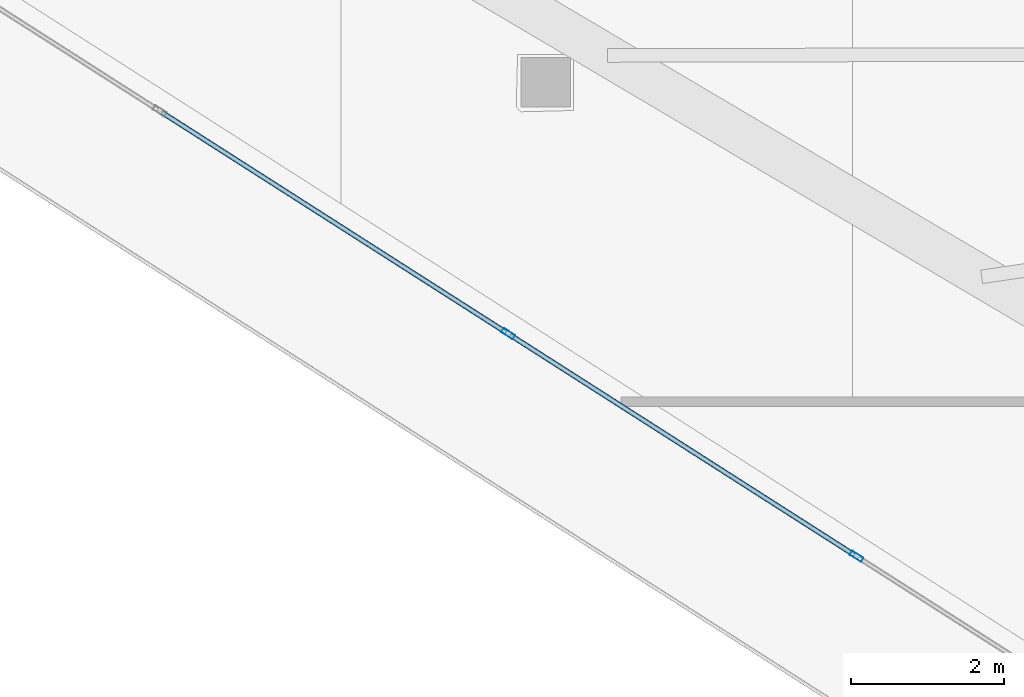
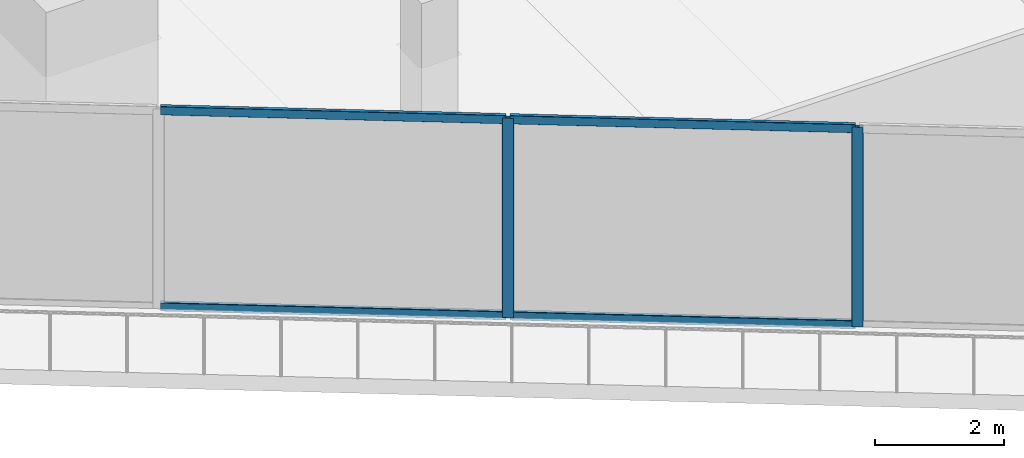
# One storey, part 3 of 44: 6 members, 1 element without a shape of its own.
"""IFC4 building model written with IfcOpenShell, lengths in metres."""

from ifc_helpers import new_model, si_unit, direction, frame, origin, origin_2d, place, context, subcontext, project, spatial, hollow_rectangle, extrude, material, layer, layer_set, material_profile, profile_set, type_object, element, aggregate, save


model = new_model("IFC4")

# Units and contexts
model_context = context("Model", 3, precision=1e-05, world=origin(), true_north=direction((0.0, 1.0)))
body_context = subcontext(model_context, "Body", "Model", "MODEL_VIEW")
ifc_project = project(units=[si_unit("LENGTHUNIT", "METRE"), si_unit("AREAUNIT", "SQUARE_METRE"), si_unit("VOLUMEUNIT", "CUBIC_METRE"), si_unit("PLANEANGLEUNIT", "RADIAN"), si_unit("MASSUNIT", "GRAM", prefix="KILO")], contexts=[model_context])

# Site, building, storey
site_placement = place(None, origin())
site = spatial("IfcSite", under=ifc_project, at=site_placement, CompositionType="ELEMENT")
building_placement = place(site_placement, origin())
building = spatial("IfcBuilding", under=site, at=building_placement, Name="Qorvath Tower", CompositionType="ELEMENT")
storey_placement = place(building_placement, frame((0.0, 0.0, 113.85009765625)))
storey = spatial("IfcBuildingStorey", under=building, at=storey_placement, Name="L25", CompositionType="ELEMENT", Elevation=113.85009765625)

# Curtain wall, members
ifc_material_1 = material(Name="Anodised aluminium and triple low-E glass", Category="aluminium")
ifc_layer = layer(ifc_material_1, 0.179931640625)
ifc_layer_set = layer_set([ifc_layer], Name="CW-SYS-2")
curtain_wall_type = type_object("IfcCurtainWallType", Name="CW-SYS-2", PredefinedType="NOTDEFINED", material=ifc_layer_set)
curtain_wall_placement = place(storey_placement, origin())
curtain_wall = element("IfcCurtainWall", 1, at=curtain_wall_placement, inside=storey, type_object=curtain_wall_type, Name="Curtain Wall CW-2 CW-T-L25-2.1", PredefinedType="NOTDEFINED")
ifc_material_2 = material(Name="Anodised aluminium 6063-T6", Category="aluminium")
ifc_material_profile_1 = material_profile(ifc_material_2, hollow_rectangle(XDim=0.06494140625, YDim=0.179931640625, WallThickness=0.00341796875, InnerFilletRadius=0.00341796875, OuterFilletRadius=0.007080078125, at=origin_2d()), Name="CWM 180x65")
ifc_profile_set_1 = profile_set([ifc_material_profile_1], Name="Anodised aluminium 6063-T6")
member_type_1 = type_object("IfcMemberType", Name="CWM-180", PredefinedType="MULLION", material=ifc_profile_set_1)
member_1_placement = place(storey_placement, frame((-49.069091796875, -9.714599609375, 0.0), z_axis=(0.0, 0.0, 1.0), x_axis=(0.538529946269, 0.84260637131, 0.0)))
member_1 = element("IfcMember", 2, at=member_1_placement, type_object=member_type_1, Name="CW-2 mullion 3", PredefinedType="MULLION", context=body_context, shape_type="SweptSolid", body=[
    extrude(hollow_rectangle(XDim=0.06494140625, YDim=0.179931640625, WallThickness=0.00341796875, InnerFilletRadius=0.00341796875, OuterFilletRadius=0.007080078125, at=origin_2d()), origin(), (0.0, 0.0, 1.0), 3.77001953125),
])
member_2_placement = place(storey_placement, frame((-44.50830078125, -12.629638671875, 0.0), z_axis=(0.0, 0.0, 1.0), x_axis=(0.538529946269, 0.84260637131, 0.0)))
member_2 = element("IfcMember", 3, at=member_2_placement, type_object=member_type_1, Name="CW-2 mullion 4", PredefinedType="MULLION", context=body_context, shape_type="SweptSolid", body=[
    extrude(hollow_rectangle(XDim=0.06494140625, YDim=0.179931640625, WallThickness=0.00341796875, InnerFilletRadius=0.00341796875, OuterFilletRadius=0.007080078125, at=origin_2d()), origin(), (0.0, 0.0, 1.0), 3.77001953125),
])
ifc_material_3 = material(Name="Anodised aluminium 6063-T6", Category="aluminium")
ifc_material_profile_2 = material_profile(ifc_material_3, hollow_rectangle(XDim=0.06494140625, YDim=0.159912109375, WallThickness=0.00341796875, InnerFilletRadius=0.00341796875, OuterFilletRadius=0.007080078125, at=origin_2d()), Name="CWT 160x65")
ifc_profile_set_2 = profile_set([ifc_material_profile_2], Name="Anodised aluminium 6063-T6")
member_type_2 = type_object("IfcMemberType", Name="CWT-160", PredefinedType="USERDEFINED", material=ifc_profile_set_2)
member_3_placement = place(storey_placement, frame((-53.602294921875, -6.8173828125, 0.032470703125), z_axis=(0.842599583756, -0.538540566211, 0.0), x_axis=(0.538540566211, 0.842599583756, 0.0)))
member_3 = element("IfcMember", 4, at=member_3_placement, type_object=member_type_2, Name="CW-2 transom 2.1", ObjectType="TRANSOM", PredefinedType="USERDEFINED", context=body_context, shape_type="SweptSolid", body=[
    extrude(hollow_rectangle(XDim=0.06494140625, YDim=0.159912109375, WallThickness=0.00341796875, InnerFilletRadius=0.00341796875, OuterFilletRadius=0.007080078125, at=origin_2d()), origin(), (0.0, 0.0, 1.0), 5.34765625),
])
member_4_placement = place(storey_placement, frame((-53.602294921875, -6.8173828125, 3.737548828125), z_axis=(0.842599583756, -0.538540566211, 0.0), x_axis=(0.538540566211, 0.842599583756, 0.0)))
member_4 = element("IfcMember", 5, at=member_4_placement, type_object=member_type_2, Name="CW-2 transom 2.2", ObjectType="TRANSOM", PredefinedType="USERDEFINED", context=body_context, shape_type="SweptSolid", body=[
    extrude(hollow_rectangle(XDim=0.06494140625, YDim=0.159912109375, WallThickness=0.00341796875, InnerFilletRadius=0.00341796875, OuterFilletRadius=0.007080078125, at=origin_2d()), origin(), (0.0, 0.0, 1.0), 5.34765625),
])
member_5_placement = place(storey_placement, frame((-49.041748046875, -9.732177734375, 0.032470703125), z_axis=(0.842612823983, -0.538519850014, 0.0), x_axis=(0.538519850014, 0.842612823983, 0.0)))
member_5 = element("IfcMember", 6, at=member_5_placement, type_object=member_type_2, Name="CW-2 transom 3.1", ObjectType="TRANSOM", PredefinedType="USERDEFINED", context=body_context, shape_type="SweptSolid", body=[
    extrude(hollow_rectangle(XDim=0.06494140625, YDim=0.159912109375, WallThickness=0.00341796875, InnerFilletRadius=0.00341796875, OuterFilletRadius=0.007080078125, at=origin_2d()), origin(), (0.0, 0.0, 1.0), 5.34765625),
])
member_6_placement = place(storey_placement, frame((-49.041748046875, -9.732177734375, 3.737548828125), z_axis=(0.842612823983, -0.538519850014, 0.0), x_axis=(0.538519850014, 0.842612823983, 0.0)))
member_6 = element("IfcMember", 7, at=member_6_placement, type_object=member_type_2, Name="CW-2 transom 3.2", ObjectType="TRANSOM", PredefinedType="USERDEFINED", context=body_context, shape_type="SweptSolid", body=[
    extrude(hollow_rectangle(XDim=0.06494140625, YDim=0.159912109375, WallThickness=0.00341796875, InnerFilletRadius=0.00341796875, OuterFilletRadius=0.007080078125, at=origin_2d()), origin(), (0.0, 0.0, 1.0), 5.34765625),
])
aggregate(curtain_wall, [member_1, member_2, member_3, member_4, member_5, member_6])

save(model, "model.ifc")
